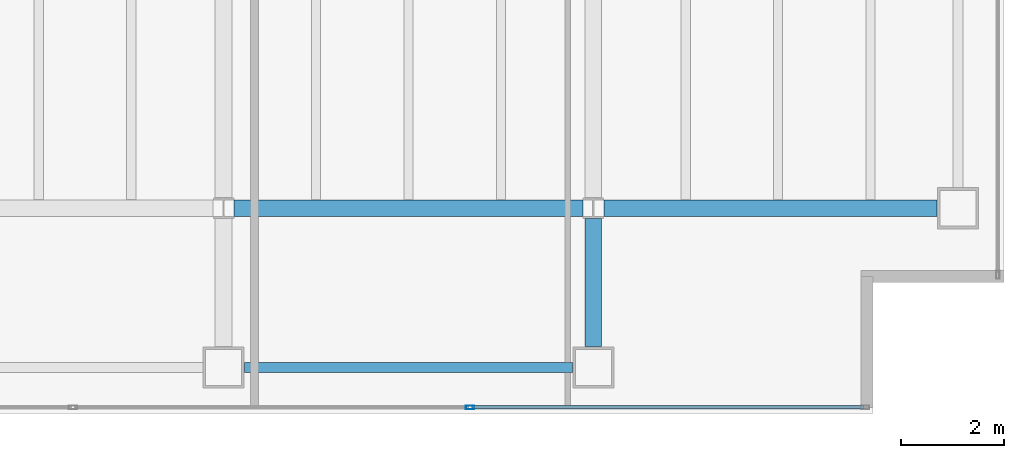
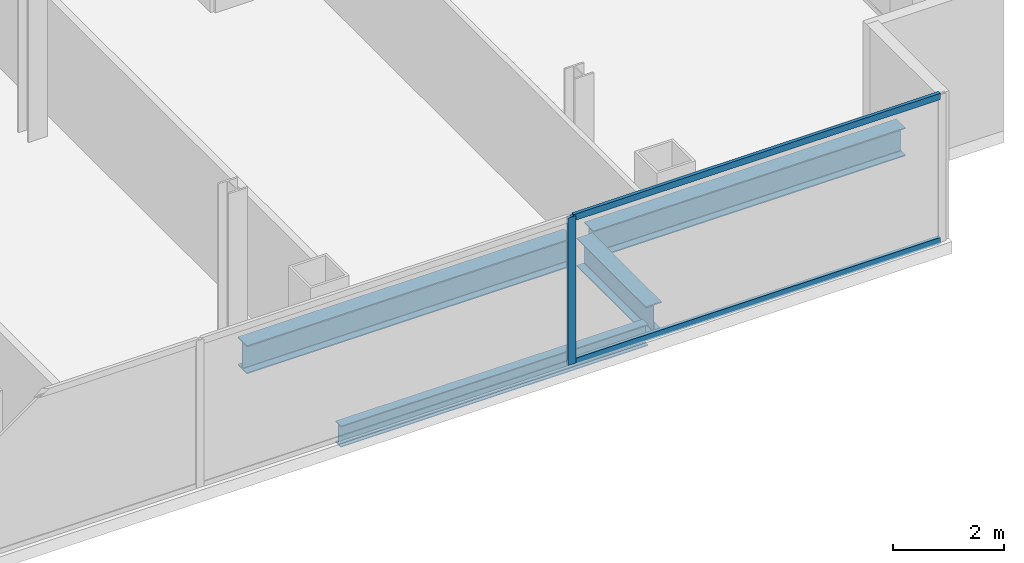
# One storey, part 10 of 23: 4 beams, 3 members, 1 element without a shape of its own.
"""IFC4 building model written with IfcOpenShell, lengths in metres."""

from ifc_helpers import new_model, si_unit, direction, frame, origin, origin_2d, place, context, subcontext, project, spatial, hollow_rectangle, i_section, extrude, material, material_profile, profile_set, type_object, element, aggregate, save


model = new_model("IFC4")

# Units and contexts
model_context = context("Model", 3, precision=1e-05, world=origin(), true_north=direction((0.0, 1.0)))
body_context = subcontext(model_context, "Body", "Model", "MODEL_VIEW")
ifc_project = project(units=[si_unit("LENGTHUNIT", "METRE"), si_unit("AREAUNIT", "SQUARE_METRE"), si_unit("VOLUMEUNIT", "CUBIC_METRE"), si_unit("PLANEANGLEUNIT", "RADIAN"), si_unit("MASSUNIT", "GRAM", prefix="KILO")], contexts=[model_context])

# Site, building, storey
site_placement = place(None, origin())
site = spatial("IfcSite", under=ifc_project, at=site_placement, CompositionType="ELEMENT")
building_placement = place(site_placement, origin())
building = spatial("IfcBuilding", under=site, at=building_placement, Name="Cobrela Telecom Tower", CompositionType="ELEMENT")
storey_placement = place(building_placement, frame((0.0, 0.0, 194.25)))
storey = spatial("IfcBuildingStorey", under=building, at=storey_placement, Name="L49", CompositionType="ELEMENT", Elevation=194.25)

# Beams
ifc_material_1 = material(Name="Steel ASTM A992 Grade 50", Category="steel")
ifc_material_profile_1 = material_profile(ifc_material_1, i_section(OverallWidth=0.327880859375, OverallDepth=0.6220703125, WebThickness=0.015380859375, FlangeThickness=0.0244140625, FilletRadius=0.014892578125, at=origin_2d()), Name="W24X131")
ifc_profile_set_1 = profile_set([ifc_material_profile_1], Name="Steel ASTM A992 Grade 50")
beam_type_1 = type_object("IfcBeamType", Name="BM-GIRD-06", PredefinedType="USERDEFINED", material=ifc_profile_set_1)
beam_1_placement = place(storey_placement, frame((29.00439453125, 7.199951171875, -0.571044921875), z_axis=(1.0, 0.0, 0.0), x_axis=(0.0, 1.0, 0.0)))
element("IfcBeam", 1, at=beam_1_placement, inside=storey, type_object=beam_type_1, Name="L49 Primary Girder X09", ObjectType="GIRDER", PredefinedType="USERDEFINED", context=body_context, shape_type="SweptSolid", body=[
    extrude(i_section(OverallWidth=0.327880859375, OverallDepth=0.6220703125, WebThickness=0.015380859375, FlangeThickness=0.0244140625, FilletRadius=0.014892578125, at=origin_2d()), origin(), (0.0, 0.0, 1.0), 6.791015625),
])
beam_2_placement = place(storey_placement, frame((36.20458984375, 7.199951171875, -0.571044921875), z_axis=(1.0, 0.0, 0.0), x_axis=(0.0, 1.0, 0.0)))
element("IfcBeam", 2, at=beam_2_placement, inside=storey, type_object=beam_type_1, Name="L49 Primary Girder X10", ObjectType="GIRDER", PredefinedType="USERDEFINED", context=body_context, shape_type="SweptSolid", body=[
    extrude(i_section(OverallWidth=0.327880859375, OverallDepth=0.6220703125, WebThickness=0.015380859375, FlangeThickness=0.0244140625, FilletRadius=0.014892578125, at=origin_2d()), origin(), (0.0, 0.0, 1.0), 6.490478515625),
])
beam_3_placement = place(storey_placement, frame((36.0, 4.5048828125, -0.571044921875), z_axis=(0.0, 1.0, 0.0), x_axis=(-1.0, 0.0, 0.0)))
element("IfcBeam", 3, at=beam_3_placement, inside=storey, type_object=beam_type_1, Name="L49 Primary Girder Y39", ObjectType="GIRDER", PredefinedType="USERDEFINED", context=body_context, shape_type="SweptSolid", body=[
    extrude(i_section(OverallWidth=0.327880859375, OverallDepth=0.6220703125, WebThickness=0.015380859375, FlangeThickness=0.0244140625, FilletRadius=0.014892578125, at=origin_2d()), origin(), (0.0, 0.0, 1.0), 2.49072265625),
])
ifc_material_profile_2 = material_profile(ifc_material_1, i_section(OverallWidth=0.193115234375, OverallDepth=0.467041015625, WebThickness=0.011474609375, FlangeThickness=0.01904296875, FilletRadius=0.012939453125, at=origin_2d()), Name="W18X65")
ifc_profile_set_2 = profile_set([ifc_material_profile_2], Name="Steel ASTM A992 Grade 50")
beam_type_2 = type_object("IfcBeamType", Name="BM-SPAND-05", PredefinedType="SPANDREL", material=ifc_profile_set_2)
beam_4_placement = place(storey_placement, frame((29.205078125, 4.10009765625, -0.493408203125), z_axis=(1.0, 0.0, 0.0), x_axis=(0.0, 1.0, 0.0)))
element("IfcBeam", 4, at=beam_4_placement, inside=storey, type_object=beam_type_2, Name="L49 Perimeter Spandrel X04", PredefinedType="SPANDREL", context=body_context, shape_type="SweptSolid", body=[
    extrude(i_section(OverallWidth=0.193115234375, OverallDepth=0.467041015625, WebThickness=0.011474609375, FlangeThickness=0.01904296875, FilletRadius=0.012939453125, at=origin_2d()), origin(), (0.0, 0.0, 1.0), 6.389892578125),
])

# Curtain wall, members
ifc_material_2 = material(Name="Anodized Bronze Aluminium 6063-T6", Category="aluminium")
curtain_wall_type = type_object("IfcCurtainWallType", Name="CW-SYS-OFF-LO", PredefinedType="USERDEFINED", material=ifc_material_2)
curtain_wall_placement = place(storey_placement, origin())
curtain_wall = element("IfcCurtainWall", 5, at=curtain_wall_placement, inside=storey, type_object=curtain_wall_type, Name="L49 Unitised Bronze Curtain Wall 17", ObjectType="UNITISED CURTAIN WALL", PredefinedType="USERDEFINED")
ifc_material_profile_3 = material_profile(ifc_material_2, hollow_rectangle(XDim=0.070068359375, YDim=0.159912109375, WallThickness=0.00390625, at=origin_2d()), Name="ALU 70x160x4")
ifc_profile_set_3 = profile_set([ifc_material_profile_3], Name="Anodized Bronze Aluminium 6063-T6")
member_type_1 = type_object("IfcMemberType", Name="CW-SYS-OFF-LO-MUL", PredefinedType="MULLION", material=ifc_profile_set_3)
member_1_placement = place(storey_placement, frame((33.597900390625, 3.320068359375, 0.0), z_axis=(0.0, 0.0, 1.0), x_axis=(0.0, -1.0, 0.0)))
member_1 = element("IfcMember", 6, at=member_1_placement, type_object=member_type_1, Name="CW-OFF-LO mullion 2", PredefinedType="MULLION", context=body_context, shape_type="SweptSolid", body=[
    extrude(hollow_rectangle(XDim=0.070068359375, YDim=0.159912109375, WallThickness=0.00390625, at=origin_2d()), origin(), (0.0, 0.0, 1.0), 3.239990234375),
])
ifc_material_profile_4 = material_profile(ifc_material_2, hollow_rectangle(XDim=0.070068359375, YDim=0.139892578125, WallThickness=0.00390625, at=origin_2d()), Name="ALU 70x140x4")
ifc_profile_set_4 = profile_set([ifc_material_profile_4], Name="Anodized Bronze Aluminium 6063-T6")
member_type_2 = type_object("IfcMemberType", Name="CW-SYS-OFF-LO-TRN", PredefinedType="USERDEFINED", material=ifc_profile_set_4)
member_2_placement = place(storey_placement, frame((41.260009765625, 3.320068359375, 0.034912109375), z_axis=(-1.0, 0.0, 0.0), x_axis=(0.0, -1.0, 0.0)))
member_2 = element("IfcMember", 7, at=member_2_placement, type_object=member_type_2, Name="CW-OFF-LO transom 1.1", ObjectType="TRANSOM", PredefinedType="USERDEFINED", context=body_context, shape_type="SweptSolid", body=[
    extrude(hollow_rectangle(XDim=0.070068359375, YDim=0.139892578125, WallThickness=0.00390625, at=origin_2d()), origin(), (0.0, 0.0, 1.0), 7.626953125),
])
member_3_placement = place(storey_placement, frame((41.260009765625, 3.320068359375, 3.205078125), z_axis=(-1.0, 0.0, 0.0), x_axis=(0.0, -1.0, 0.0)))
member_3 = element("IfcMember", 8, at=member_3_placement, type_object=member_type_2, Name="CW-OFF-LO transom 1.2", ObjectType="TRANSOM", PredefinedType="USERDEFINED", context=body_context, shape_type="SweptSolid", body=[
    extrude(hollow_rectangle(XDim=0.070068359375, YDim=0.139892578125, WallThickness=0.00390625, at=origin_2d()), origin(), (0.0, 0.0, 1.0), 7.626953125),
])
aggregate(curtain_wall, [member_1, member_2, member_3])

save(model, "model.ifc")
